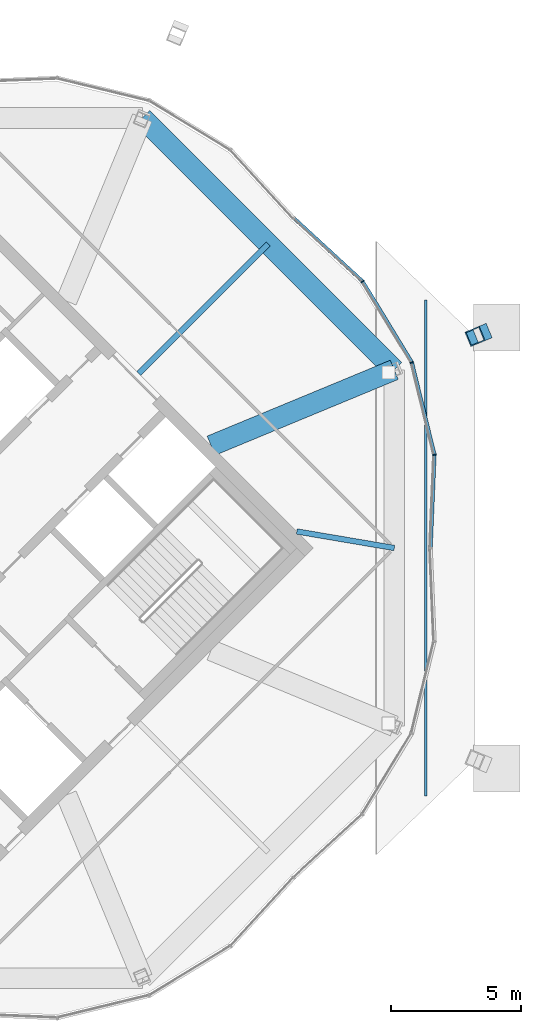
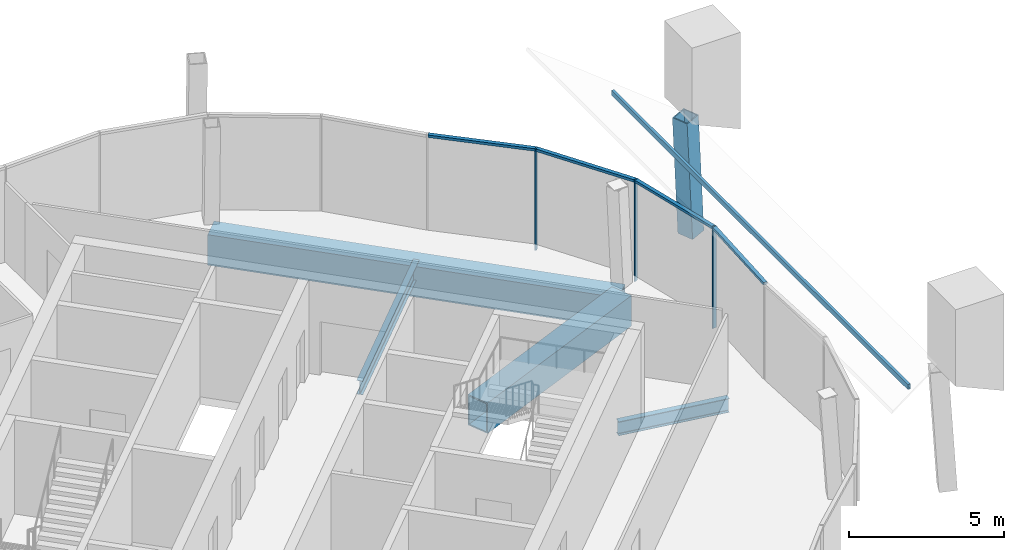
# One storey, part 12 of 22: 9 members, 4 beams, 1 element without a shape of its own.
"""IFC4 building model written with IfcOpenShell, lengths in metres."""

import ifcopenshell
import ifcopenshell.guid

model = None  # the IFC model being written
_history = None  # IfcOwnerHistory: only IFC2X3 demands one
_inside = {}  # id of a spatial element -> (the spatial element, [elements in it])
_under = {}  # id of a project, library or spatial element -> (it, [spatial elements below it])
_declared = {}  # id of a project -> (the project, [libraries it declares])
_typed = {}  # id of a type object -> (the type object, [elements of that type])
_made_of = {}  # id of a material, layer set ... -> (it, [elements and type objects made of it])


def new_model(schema):
    """Start an empty IFC model of exactly this schema.

    Asked for "IFC4X3", IfcOpenShell would pick the latest addendum, in which some entities
    have other attributes; the version numbers below select the first issue.
    IFC2X3 requires an IfcOwnerHistory on every rooted entity: one is made here for all.
    """
    global model, _history
    if schema == "IFC4X3":
        model = ifcopenshell.file(schema_version=(4, 3, 0, 0))
    else:
        model = ifcopenshell.file(schema=schema)
    _inside.clear()
    _under.clear()
    _declared.clear()
    _typed.clear()
    _made_of.clear()
    _history = None
    if model.schema == "IFC2X3":
        org = make("IfcOrganization", Name="unknown")
        user = make(
            "IfcPersonAndOrganization",
            ThePerson=make("IfcPerson", FamilyName="unknown"),
            TheOrganization=org,
        )
        app = make(
            "IfcApplication",
            ApplicationDeveloper=org,
            Version="unknown",
            ApplicationFullName="unknown",
            ApplicationIdentifier="unknown",
        )
        _history = make(
            "IfcOwnerHistory",
            OwningUser=user,
            OwningApplication=app,
            ChangeAction="ADDED",
            CreationDate=0,
        )
    return model


def make(cls, **values):
    """One entity of the class cls with the attributes given. An attribute that is None is left unset."""
    return model.create_entity(
        cls, **{name: value for name, value in values.items() if value is not None}
    )


def rooted(cls, **values):
    """An entity with a GlobalId (a new one), such as an element, a storey or a relation."""
    return make(cls, GlobalId=ifcopenshell.guid.new(), OwnerHistory=_history, **values)


def si_unit(unit_type, name, prefix=None):
    """IfcSIUnit, for example si_unit("LENGTHUNIT", "METRE", prefix="MILLI")."""
    return make("IfcSIUnit", UnitType=unit_type, Prefix=prefix, Name=name)


def assignment(units):
    """IfcUnitAssignment: the units of a project."""
    return None if units is None else make("IfcUnitAssignment", Units=units)


def point(xyz):
    """IfcCartesianPoint."""
    return None if xyz is None else make("IfcCartesianPoint", Coordinates=xyz)


def direction(xyz):
    """IfcDirection."""
    return None if xyz is None else make("IfcDirection", DirectionRatios=xyz)


def frame(location, z_axis=None, x_axis=None):
    """IfcAxis2Placement3D, a coordinate frame: its origin and axes. An axis left out is left unset."""
    return make(
        "IfcAxis2Placement3D",
        Location=point(location),
        Axis=direction(z_axis),
        RefDirection=direction(x_axis),
    )


def frame_2d(location, x_axis=None):
    """IfcAxis2Placement2D, a coordinate frame in the plane: its origin and x axis."""
    return make(
        "IfcAxis2Placement2D", Location=point(location), RefDirection=direction(x_axis)
    )


def origin():
    """The frame at (0, 0, 0) with its axes left unset."""
    return frame((0.0, 0.0, 0.0))


def origin_2d():
    """The frame at (0, 0) in the plane with its x axis left unset."""
    return frame_2d((0.0, 0.0))


def place(relative_to, where):
    """IfcLocalPlacement: puts the frame where relative to a parent placement (None: the world)."""
    return make(
        "IfcLocalPlacement", PlacementRelTo=relative_to, RelativePlacement=where
    )


def context(
    kind, dimensions, precision=None, world=None, true_north=None, identifier=None
):
    """IfcGeometricRepresentationContext, for example the 3D "Model" context."""
    return make(
        "IfcGeometricRepresentationContext",
        ContextIdentifier=identifier,
        ContextType=kind,
        CoordinateSpaceDimension=dimensions,
        Precision=precision,
        WorldCoordinateSystem=world,
        TrueNorth=true_north,
    )


def subcontext(parent, identifier, kind, view, scale=None):
    """IfcGeometricRepresentationSubContext, for example "Body" below "Model"."""
    return make(
        "IfcGeometricRepresentationSubContext",
        ContextIdentifier=identifier,
        ContextType=kind,
        ParentContext=parent,
        TargetScale=scale,
        TargetView=view,
    )


def project(units=None, contexts=None):
    """IfcProject with its units and contexts."""
    return rooted(
        "IfcProject",
        Name="project",
        RepresentationContexts=contexts,
        UnitsInContext=assignment(units),
    )


def spatial(cls, under=None, at=None, **own):
    """A site, building, storey or space (cls), placed at a placement, below another one or the project."""
    s = rooted(cls, ObjectPlacement=at, **own)
    if under is not None:
        _under.setdefault(under.id(), (under, []))[1].append(s)
    return s


def profile(cls, at=None, kind="AREA", **sizes):
    """A parametric profile (cls). Its sizes go by their IFC names, for example OverallWidth=200.0."""
    return make(cls, ProfileType=kind, Position=at, **sizes)


def rectangle(**sizes):
    """IfcRectangleProfileDef."""
    return profile("IfcRectangleProfileDef", **sizes)


def hollow_rectangle(**sizes):
    """IfcRectangleHollowProfileDef."""
    return profile("IfcRectangleHollowProfileDef", **sizes)


def i_section(**sizes):
    """IfcIShapeProfileDef."""
    return profile("IfcIShapeProfileDef", **sizes)


def extrude(swept, where, along, depth):
    """IfcExtrudedAreaSolid: the profile swept, set in the frame where, extruded along a direction by depth."""
    return make(
        "IfcExtrudedAreaSolid",
        SweptArea=swept,
        Position=where,
        ExtrudedDirection=direction(along),
        Depth=depth,
    )


def shape(context_of_items, identifier, shape_type, items):
    """IfcShapeRepresentation: the items that make up one representation, for example the "Body"."""
    return make(
        "IfcShapeRepresentation",
        ContextOfItems=context_of_items,
        RepresentationIdentifier=identifier,
        RepresentationType=shape_type,
        Items=items,
    )


def material(Name=None, Category=None):
    """IfcMaterial."""
    return make("IfcMaterial", Name=Name, Category=Category)


def material_profile(
    of_material, cross_section, Name=None, Category=None, Priority=None
):
    """IfcMaterialProfile: a cross section and its material."""
    return make(
        "IfcMaterialProfile",
        Name=Name,
        Material=of_material,
        Profile=cross_section,
        Priority=Priority,
        Category=Category,
    )


def profile_set(profiles, Name=None, composite=None):
    """IfcMaterialProfileSet."""
    return make(
        "IfcMaterialProfileSet",
        Name=Name,
        MaterialProfiles=profiles,
        CompositeProfile=composite,
    )


def made_of(thing, what):
    """Note that an element or type object is made of a material, layer set ...; save() writes the relation."""
    if what is not None:
        _made_of.setdefault(what.id(), (what, []))[1].append(thing)
    return thing


def type_object(cls, material=None, **own):
    """A type object (cls), such as IfcWallType, which elements share."""
    return made_of(rooted(cls, **own), material)


def element(
    cls,
    number,
    at=None,
    inside=None,
    cuts=None,
    type_object=None,
    material=None,
    context=None,
    identifier="Body",
    shape_type=None,
    held_by="IfcProductDefinitionShape",
    body=None,
    shapes=None,
    **own,
):
    """One element of the class cls, such as IfcWall. Its Tag is "e" and its number.

    at: its placement. inside: the storey or other place that contains it. cuts: it is an
    opening in that element (IfcRelVoidsElement). A single representation is given by context,
    identifier, shape_type and body (its items); several are given by shapes. held_by: the class
    of the entity that holds the representations. save() writes the other relations.
    """
    e = rooted(cls, Tag="e%d" % number, ObjectPlacement=at, **own)
    if body is not None:
        shapes = [shape(context, identifier, shape_type, body)]
    if shapes is not None:
        e.Representation = make(held_by, Representations=shapes)
    if inside is not None:
        _inside.setdefault(inside.id(), (inside, []))[1].append(e)
    if cuts is not None:
        rooted(
            "IfcRelVoidsElement", RelatingBuildingElement=cuts, RelatedOpeningElement=e
        )
    if type_object is not None:
        _typed.setdefault(type_object.id(), (type_object, []))[1].append(e)
    return made_of(e, material)


def aggregate(whole, parts):
    """IfcRelAggregates: a whole, such as a stair, and the parts it consists of."""
    return rooted("IfcRelAggregates", RelatingObject=whole, RelatedObjects=parts)


def save(model, path):
    """Write the relations noted so far, then the file.

    IfcRelAggregates (storeys below a building ...), IfcRelContainedInSpatialStructure (elements
    in a storey), IfcRelDefinesByType, IfcRelAssociatesMaterial and IfcRelDeclares: one each for
    every whole, place, type object, material and project.
    """
    for whole, parts in _under.values():
        aggregate(whole, parts)
    for where, things in _inside.values():
        rooted(
            "IfcRelContainedInSpatialStructure",
            RelatedElements=things,
            RelatingStructure=where,
        )
    for kind, things in _typed.values():
        rooted("IfcRelDefinesByType", RelatedObjects=things, RelatingType=kind)
    for what, things in _made_of.values():
        rooted("IfcRelAssociatesMaterial", RelatedObjects=things, RelatingMaterial=what)
    for by, libraries in _declared.values():
        rooted("IfcRelDeclares", RelatingContext=by, RelatedDefinitions=libraries)
    model.write(path)


model = new_model("IFC4")

# Units and contexts
model_context = context("Model", 3, precision=1e-05, world=origin(), true_north=direction((0.0, 1.0)))
body_context = subcontext(model_context, "Body", "Model", "MODEL_VIEW")
ifc_project = project(units=[si_unit("LENGTHUNIT", "METRE"), si_unit("AREAUNIT", "SQUARE_METRE"), si_unit("VOLUMEUNIT", "CUBIC_METRE"), si_unit("PLANEANGLEUNIT", "RADIAN"), si_unit("MASSUNIT", "GRAM", prefix="KILO")], contexts=[model_context])

# Site, building, storey
site_placement = place(None, origin())
site = spatial("IfcSite", under=ifc_project, at=site_placement, CompositionType="ELEMENT")
building_placement = place(site_placement, origin())
building = spatial("IfcBuilding", under=site, at=building_placement, Name="Ogive Gate Towers", CompositionType="ELEMENT")
storey_placement = place(building_placement, frame((0.0, 0.0, 298.0)))
storey = spatial("IfcBuildingStorey", under=building, at=storey_placement, Name="L70", CompositionType="ELEMENT", Elevation=298.0)

# Curtain wall, members
ifc_material_1 = material(Name="Pale metal aluminium", Category="aluminium")
curtain_wall_type = type_object("IfcCurtainWallType", Name="Crown lean wall", PredefinedType="NOTDEFINED", material=ifc_material_1)
curtain_wall_placement = place(storey_placement, origin())
curtain_wall = element("IfcCurtainWall", 1, at=curtain_wall_placement, inside=storey, type_object=curtain_wall_type, Name="CW5 T2 ECW01", PredefinedType="NOTDEFINED")
ifc_material_profile_1 = material_profile(ifc_material_1, rectangle(XDim=0.139892578125, YDim=0.050048828125, at=origin_2d()), Name="50 x 140 aluminium box")
ifc_profile_set_1 = profile_set([ifc_material_profile_1], Name="Pale metal aluminium")
member_type_1 = type_object("IfcMemberType", Name="Crown lean wall mullion 50 x 140", PredefinedType="MULLION", material=ifc_profile_set_1)
member_1_placement = place(storey_placement, frame((51.325439453125, 10.255615234375, -0.300048828125), z_axis=(0.0, 0.0, 1.0), x_axis=(-0.77351952775, -0.633772467207, 0.0)))
member_1 = element("IfcMember", 2, at=member_1_placement, type_object=member_type_1, Name="CW5 mullion", PredefinedType="MULLION", context=body_context, shape_type="SweptSolid", body=[
    extrude(rectangle(XDim=0.139892578125, YDim=0.050048828125, at=origin_2d()), origin(), (0.0, 0.0, 1.0), 4.0),
])
member_2_placement = place(storey_placement, frame((53.22216796875, 7.1337890625, -0.300048828125), z_axis=(0.0, 0.0, 1.0), x_axis=(-0.923879532511, -0.382683432365, 0.0)))
member_2 = element("IfcMember", 3, at=member_2_placement, type_object=member_type_1, Name="CW5 mullion", PredefinedType="MULLION", context=body_context, shape_type="SweptSolid", body=[
    extrude(rectangle(XDim=0.139892578125, YDim=0.050048828125, at=origin_2d()), origin(), (0.0, 0.0, 1.0), 4.0),
])
member_3_placement = place(storey_placement, frame((54.088623046875, 3.585205078125, -0.300048828125), z_axis=(0.0, 0.0, 1.0), x_axis=(-0.995103987926, -0.098833462017, 0.0)))
member_3 = element("IfcMember", 4, at=member_3_placement, type_object=member_type_1, Name="CW5 mullion", PredefinedType="MULLION", context=body_context, shape_type="SweptSolid", body=[
    extrude(rectangle(XDim=0.139892578125, YDim=0.050048828125, at=origin_2d()), origin(), (0.0, 0.0, 1.0), 4.0),
])
ifc_material_profile_2 = material_profile(ifc_material_1, rectangle(XDim=0.139892578125, YDim=0.10009765625, at=origin_2d()), Name="100 x 140 aluminium box")
ifc_profile_set_2 = profile_set([ifc_material_profile_2], Name="Pale metal aluminium")
member_type_2 = type_object("IfcMemberType", Name="Crown lean wall transom 100 x 140", PredefinedType="USERDEFINED", material=ifc_profile_set_2)
member_4_placement = place(storey_placement, frame((48.702880859375, 12.66943359375, 3.64990234375), z_axis=(0.735814008941, -0.677183685751, 0.0), x_axis=(0.677183685751, 0.735814008941, 0.0)))
member_4 = element("IfcMember", 5, at=member_4_placement, type_object=member_type_2, Name="CW5 transom", ObjectType="TRANSOM", PredefinedType="USERDEFINED", context=body_context, shape_type="SweptSolid", body=[
    extrude(rectangle(XDim=0.139892578125, YDim=0.10009765625, at=origin_2d()), origin(), (0.0, 0.0, 1.0), 3.535400390625),
])
member_5_placement = place(storey_placement, frame((51.3408203125, 10.230712890625, 3.64990234375), z_axis=(0.519302475553, -0.854590509475, 0.0), x_axis=(0.854590509475, 0.519302475553, 0.0)))
member_5 = element("IfcMember", 6, at=member_5_placement, type_object=member_type_2, Name="CW5 transom", ObjectType="TRANSOM", PredefinedType="USERDEFINED", context=body_context, shape_type="SweptSolid", body=[
    extrude(rectangle(XDim=0.139892578125, YDim=0.10009765625, at=origin_2d()), origin(), (0.0, 0.0, 1.0), 3.59423828125),
])
member_6_placement = place(storey_placement, frame((53.2294921875, 7.10498046875, 3.64990234375), z_axis=(0.237145397056, -0.971474168805, 0.0), x_axis=(0.971474168805, 0.237145397056, 0.0)))
member_6 = element("IfcMember", 7, at=member_6_placement, type_object=member_type_2, Name="CW5 transom", ObjectType="TRANSOM", PredefinedType="USERDEFINED", context=body_context, shape_type="SweptSolid", body=[
    extrude(rectangle(XDim=0.139892578125, YDim=0.10009765625, at=origin_2d()), origin(), (0.0, 0.0, 1.0), 3.593994140625),
])
member_7_placement = place(storey_placement, frame((54.087646484375, 3.555908203125, 3.64990234375), z_axis=(-0.041435216725, -0.999141192632, 0.0), x_axis=(0.999141192632, -0.041435216725, 0.0)))
member_7 = element("IfcMember", 8, at=member_7_placement, type_object=member_type_2, Name="CW5 transom", ObjectType="TRANSOM", PredefinedType="USERDEFINED", context=body_context, shape_type="SweptSolid", body=[
    extrude(rectangle(XDim=0.139892578125, YDim=0.10009765625, at=origin_2d()), origin(), (0.0, 0.0, 1.0), 3.53515625),
])
aggregate(curtain_wall, [member_1, member_4, member_2, member_5, member_3, member_6, member_7])

# Members
ifc_material_2 = material(Name="Steel SM460", Category="steel")
ifc_material_profile_3 = material_profile(ifc_material_2, hollow_rectangle(XDim=0.60009765625, YDim=0.60009765625, WallThickness=0.0400390625, at=origin_2d()), Name="BX 600x600x40")
ifc_profile_set_3 = profile_set([ifc_material_profile_3], Name="Steel SM460")
member_type_3 = type_object("IfcMemberType", Name="Crown rib BX 600x600x40", PredefinedType="MEMBER", material=ifc_profile_set_3)
member_8_placement = place(storey_placement, frame((55.919189453125, 8.250732421875, 0.0), z_axis=(-0.056421001564, -0.023344836427, 0.998134103813), x_axis=(0.382326833999, -0.924027159776, 0.0)))
element("IfcMember", 9, at=member_8_placement, inside=storey, type_object=member_type_3, Name="T2/L70/STR001", PredefinedType="MEMBER", context=body_context, shape_type="SweptSolid", body=[
    extrude(hollow_rectangle(XDim=0.60009765625, YDim=0.60009765625, WallThickness=0.0400390625, at=origin_2d()), origin(), (0.0, 0.0, 1.0), 4.716552734375),
])
ifc_material_profile_4 = material_profile(ifc_material_2, hollow_rectangle(XDim=0.10009765625, YDim=0.199951171875, WallThickness=0.008056640625, at=origin_2d()), Name="RHS 200x100x8")
ifc_profile_set_4 = profile_set([ifc_material_profile_4], Name="Steel SM460")
member_type_4 = type_object("IfcMemberType", Name="Crown roof purlin RHS 200 x 100", PredefinedType="PURLIN", material=ifc_profile_set_4)
member_9_placement = place(storey_placement, frame((53.761962890625, 9.547607421875, 5.453857421875), z_axis=(0.0, -1.0, 0.0), x_axis=(1.0, 0.0, 0.0)))
element("IfcMember", 10, at=member_9_placement, inside=storey, type_object=member_type_4, Name="Crown roof purlin", PredefinedType="PURLIN", context=body_context, shape_type="SweptSolid", body=[
    extrude(hollow_rectangle(XDim=0.10009765625, YDim=0.199951171875, WallThickness=0.008056640625, at=origin_2d()), origin(), (0.0, 0.0, 1.0), 19.09521484375),
])

# Beams
ifc_material_profile_5 = material_profile(ifc_material_2, hollow_rectangle(XDim=0.800048828125, YDim=1.199951171875, WallThickness=0.050048828125, at=origin_2d()), Name="BX 1200x800x50")
ifc_profile_set_5 = profile_set([ifc_material_profile_5], Name="Steel SM460")
beam_type_1 = type_object("IfcBeamType", Name="Edge girder BX 1200x800x50", PredefinedType="BEAM", material=ifc_profile_set_5)
beam_1_placement = place(storey_placement, frame((52.546630859375, 6.853759765625, -0.89990234375), z_axis=(-0.707106781187, 0.707106781187, 0.0), x_axis=(-0.707106781187, -0.707106781187, 0.0)))
element("IfcBeam", 11, at=beam_1_placement, inside=storey, type_object=beam_type_1, Name="T2/L70/SBM021", PredefinedType="BEAM", context=body_context, shape_type="SweptSolid", body=[
    extrude(hollow_rectangle(XDim=0.800048828125, YDim=1.199951171875, WallThickness=0.050048828125, at=origin_2d()), origin(), (0.0, 0.0, 1.0), 13.707763671875),
])
ifc_material_3 = material(Name="Steel SM355", Category="steel")
ifc_material_profile_6 = material_profile(ifc_material_3, i_section(OverallWidth=0.2099609375, OverallDepth=0.550048828125, WebThickness=0.010986328125, FlangeThickness=0.01708984375, FilletRadius=0.02392578125, at=origin_2d()), Name="IPE 550")
ifc_profile_set_6 = profile_set([ifc_material_profile_6], Name="Steel SM355")
beam_type_2 = type_object("IfcBeamType", Name="Radial floor beam IPE 550", PredefinedType="BEAM", material=ifc_profile_set_6)
beam_2_placement = place(storey_placement, frame((48.798583984375, 0.636474609375, -0.574951171875), z_axis=(0.985885964667, -0.167418232796, 0.0), x_axis=(0.167418232796, 0.985885964667, 0.0)))
element("IfcBeam", 12, at=beam_2_placement, inside=storey, type_object=beam_type_2, Name="T2/L70/SBM008", PredefinedType="BEAM", context=body_context, shape_type="SweptSolid", body=[
    extrude(i_section(OverallWidth=0.2099609375, OverallDepth=0.550048828125, WebThickness=0.010986328125, FlangeThickness=0.01708984375, FilletRadius=0.02392578125, at=origin_2d()), origin(), (0.0, 0.0, 1.0), 3.8017578125),
])
beam_3_placement = place(storey_placement, frame((42.717529296875, 6.717529296875, -0.574951171875), z_axis=(0.707106781187, 0.707106781187, 0.0), x_axis=(-0.707106781187, 0.707106781187, 0.0)))
element("IfcBeam", 13, at=beam_3_placement, inside=storey, type_object=beam_type_2, Name="T2/L70/SBM010", PredefinedType="BEAM", context=body_context, shape_type="SweptSolid", body=[
    extrude(i_section(OverallWidth=0.2099609375, OverallDepth=0.550048828125, WebThickness=0.010986328125, FlangeThickness=0.01708984375, FilletRadius=0.02392578125, at=origin_2d()), origin(), (0.0, 0.0, 1.0), 7.046630859375),
])
ifc_material_profile_7 = material_profile(ifc_material_2, hollow_rectangle(XDim=0.800048828125, YDim=1.199951171875, WallThickness=0.050048828125, at=origin_2d()), Name="BX 1200x800x50")
ifc_profile_set_7 = profile_set([ifc_material_profile_7], Name="Steel SM460")
beam_type_3 = type_object("IfcBeamType", Name="Transfer radial beam BX 1200x800x50", PredefinedType="BEAM", material=ifc_profile_set_7)
beam_4_placement = place(storey_placement, frame((45.5, 3.93505859375, -0.89990234375), z_axis=(0.923884580387, 0.382671245488, 0.0), x_axis=(-0.382671245488, 0.923884580387, 0.0)))
element("IfcBeam", 14, at=beam_4_placement, inside=storey, type_object=beam_type_3, Name="T2/L70/SBM009", PredefinedType="BEAM", context=body_context, shape_type="SweptSolid", body=[
    extrude(hollow_rectangle(XDim=0.800048828125, YDim=1.199951171875, WallThickness=0.050048828125, at=origin_2d()), origin(), (0.0, 0.0, 1.0), 7.627197265625),
])

save(model, "model.ifc")
